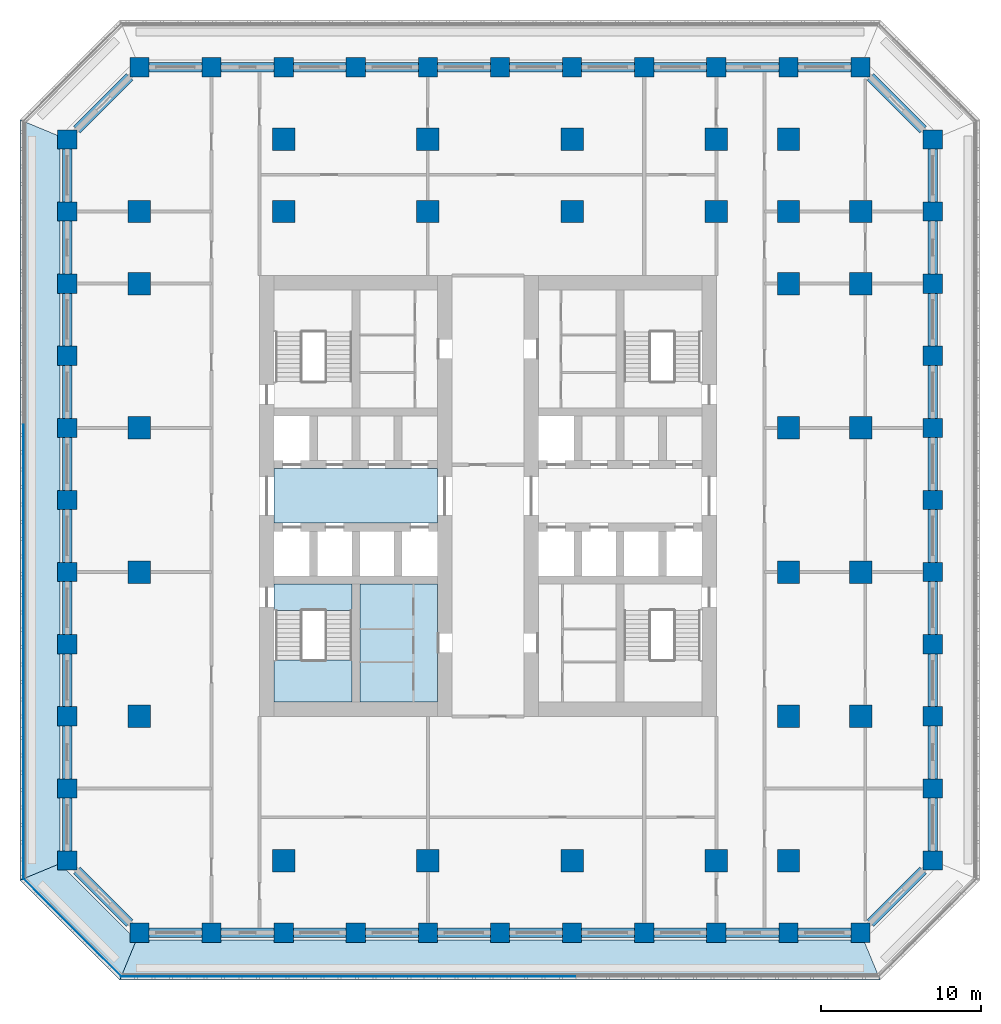
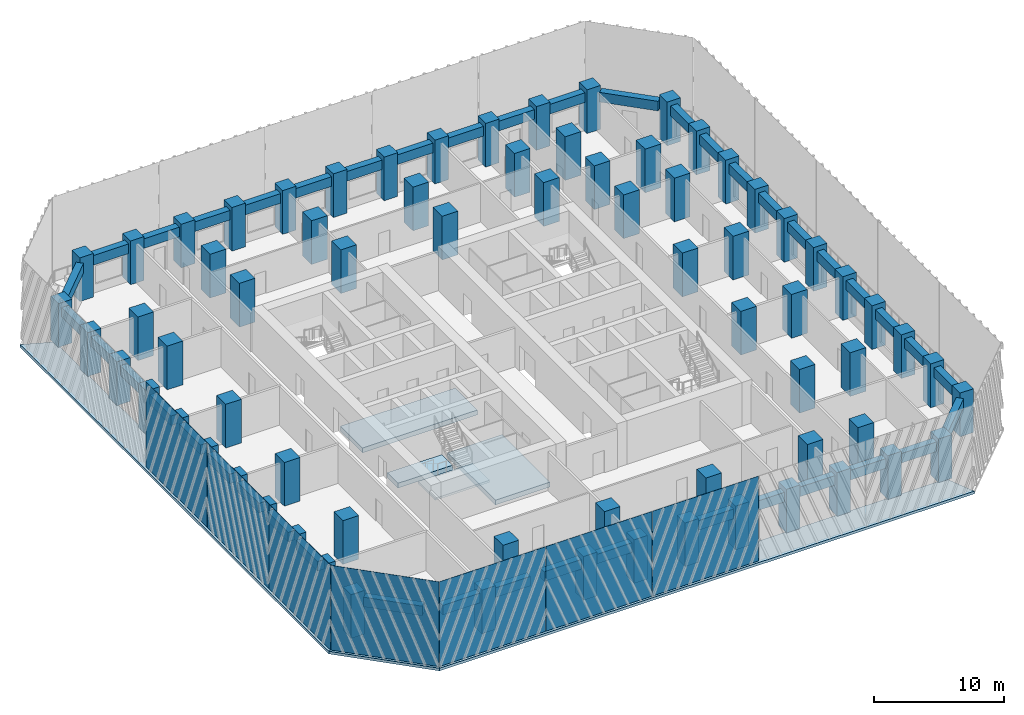
# One storey, part 1 of 19: 73 columns, 44 beams, 7 plates, 7 slabs, 1 element without a shape of its own.
"""IFC4 building model written with IfcOpenShell, lengths in metres."""

from ifc_helpers import new_model, si_unit, direction, frame, origin, origin_2d, place, context, subcontext, project, spatial, polyline, rectangle, outline, extrude, material, layer, layer_set, material_profile, profile_set, type_object, element, aggregate, save


model = new_model("IFC4")

# Units and contexts
model_context = context("Model", 3, precision=1e-05, world=origin(), true_north=direction((0.0, 1.0)))
body_context = subcontext(model_context, "Body", "Model", "MODEL_VIEW")
ifc_project = project(units=[si_unit("LENGTHUNIT", "METRE"), si_unit("AREAUNIT", "SQUARE_METRE"), si_unit("VOLUMEUNIT", "CUBIC_METRE"), si_unit("PLANEANGLEUNIT", "RADIAN"), si_unit("MASSUNIT", "GRAM", prefix="KILO")], contexts=[model_context])

# Site, building, storey
site_placement = place(None, origin())
site = spatial("IfcSite", under=ifc_project, at=site_placement, CompositionType="ELEMENT")
building_placement = place(site_placement, origin())
building = spatial("IfcBuilding", under=site, at=building_placement, Name="Corbel Stack Research Tower", CompositionType="ELEMENT")
storey_placement = place(building_placement, frame((0.0, 0.0, 90.199951171875)))
storey = spatial("IfcBuildingStorey", under=building, at=storey_placement, Name="L20", CompositionType="ELEMENT", Elevation=90.199951171875)

# Columns
ifc_material_1 = material(Name="Concrete C70/85", Category="concrete")
ifc_material_profile_1 = material_profile(ifc_material_1, rectangle(XDim=1.199951171875, YDim=1.199951171875, at=origin_2d()), Name="RC 1200 x 1200")
ifc_profile_set_1 = profile_set([ifc_material_profile_1], Name="Concrete C70/85")
column_type_1 = type_object("IfcColumnType", Name="C-1200-70", PredefinedType="COLUMN", material=ifc_profile_set_1)
for number, where, z_axis, x_axis, name in (
    (1, (-22.5, -18.0, 0.0), (0.0, 0.0, 1.0), (1.0, 0.0, 0.0), "Column 3/D L20"),
    (2, (-22.5, -13.5, 0.0), (0.0, 0.0, 1.0), (1.0, 0.0, 0.0), "Column 3/E L20"),
    (3, (-22.5, -9.0, 0.0), (0.0, 0.0, 1.0), (1.0, 0.0, 0.0), "Column 3/F L20"),
    (4, (-22.5, -4.5, 0.0), (0.0, 0.0, 1.0), (1.0, 0.0, 0.0), "Column 3/G L20"),
    (5, (-22.5, 0.0, 0.0), (0.0, 0.0, 1.0), (1.0, 0.0, 0.0), "Column 3/H L20"),
    (6, (-22.5, 4.5, 0.0), (0.0, 0.0, 1.0), (1.0, 0.0, 0.0), "Column 3/J L20"),
    (7, (-22.5, 9.0, 0.0), (0.0, 0.0, 1.0), (1.0, 0.0, 0.0), "Column 3/K L20"),
    (8, (-22.5, 13.5, 0.0), (0.0, 0.0, 1.0), (1.0, 0.0, 0.0), "Column 3/L L20"),
    (9, (-22.5, 18.0, 0.0), (0.0, 0.0, 1.0), (1.0, 0.0, 0.0), "Column 3/M L20"),
    (10, (-22.5, 22.5, 0.0), (0.0, 0.0, 1.0), (1.0, 0.0, 0.0), "Column 3/N L20"),
    (11, (-22.5, 27.0, 0.0), (0.0, 0.0, 1.0), (1.0, 0.0, 0.0), "Column 3/P L20"),
    (12, (-18.0, -22.5, 0.0), (0.0, 0.0, 1.0), (1.0, 0.0, 0.0), "Column 4/C L20"),
    (13, (-18.0, 31.5, 0.0), (0.0, 0.0, 1.0), (1.0, 0.0, 0.0), "Column 4/Q L20"),
    (14, (-13.5, -22.5, 0.0), (0.0, 0.0, 1.0), (1.0, 0.0, 0.0), "Column 5/C L20"),
    (15, (-13.5, 31.5, 0.0), (0.0, 0.0, 1.0), (1.0, 0.0, 0.0), "Column 5/Q L20"),
    (16, (-9.0, -22.5, 0.0), (0.0, 0.0, 1.0), (1.0, 0.0, 0.0), "Column 6/C L20"),
    (17, (-9.0, 31.5, 0.0), (0.0, 0.0, 1.0), (1.0, 0.0, 0.0), "Column 6/Q L20"),
    (18, (-4.5, -22.5, 0.0), (0.0, 0.0, 1.0), (1.0, 0.0, 0.0), "Column 7/C L20"),
    (19, (-4.5, 31.5, 0.0), (0.0, 0.0, 1.0), (1.0, 0.0, 0.0), "Column 7/Q L20"),
    (20, (0.0, -22.5, 0.0), (0.0, 0.0, 1.0), (1.0, 0.0, 0.0), "Column 8/C L20"),
    (21, (0.0, 31.5, 0.0), (0.0, 0.0, 1.0), (1.0, 0.0, 0.0), "Column 8/Q L20"),
    (22, (4.5, -22.5, 0.0), (0.0, 0.0, 1.0), (1.0, 0.0, 0.0), "Column 9/C L20"),
    (23, (4.5, 31.5, 0.0), (0.0, 0.0, 1.0), (1.0, 0.0, 0.0), "Column 9/Q L20"),
    (24, (9.0, -22.5, 0.0), (0.0, 0.0, 1.0), (1.0, 0.0, 0.0), "Column 10/C L20"),
    (25, (9.0, 31.5, 0.0), (0.0, 0.0, 1.0), (1.0, 0.0, 0.0), "Column 10/Q L20"),
    (26, (13.5, -22.5, 0.0), (0.0, 0.0, 1.0), (1.0, 0.0, 0.0), "Column 11/C L20"),
    (27, (13.5, 31.5, 0.0), (0.0, 0.0, 1.0), (1.0, 0.0, 0.0), "Column 11/Q L20"),
    (28, (18.0, -22.5, 0.0), (0.0, 0.0, 1.0), (1.0, 0.0, 0.0), "Column 12/C L20"),
    (29, (18.0, 31.5, 0.0), (0.0, 0.0, 1.0), (1.0, 0.0, 0.0), "Column 12/Q L20"),
    (30, (22.5, -22.5, 0.0), (0.0, 0.0, 1.0), (1.0, 0.0, 0.0), "Column 13/C L20"),
    (31, (22.5, 31.5, 0.0), (0.0, 0.0, 1.0), (1.0, 0.0, 0.0), "Column 13/Q L20"),
    (32, (27.0, -22.5, 0.0), (0.0, 0.0, 1.0), (1.0, 0.0, 0.0), "Column 14/C L20"),
    (33, (27.0, 31.5, 0.0), (0.0, 0.0, 1.0), (1.0, 0.0, 0.0), "Column 14/Q L20"),
    (34, (31.5, -18.0, 0.0), (0.0, 0.0, 1.0), (1.0, 0.0, 0.0), "Column 15/D L20"),
    (35, (31.5, -13.5, 0.0), (0.0, 0.0, 1.0), (1.0, 0.0, 0.0), "Column 15/E L20"),
    (36, (31.5, -9.0, 0.0), (0.0, 0.0, 1.0), (1.0, 0.0, 0.0), "Column 15/F L20"),
    (37, (31.5, -4.5, 0.0), (0.0, 0.0, 1.0), (1.0, 0.0, 0.0), "Column 15/G L20"),
    (38, (31.5, 0.0, 0.0), (0.0, 0.0, 1.0), (1.0, 0.0, 0.0), "Column 15/H L20"),
    (39, (31.5, 4.5, 0.0), (0.0, 0.0, 1.0), (1.0, 0.0, 0.0), "Column 15/J L20"),
    (40, (31.5, 9.0, 0.0), (0.0, 0.0, 1.0), (1.0, 0.0, 0.0), "Column 15/K L20"),
    (41, (31.5, 13.5, 0.0), (0.0, 0.0, 1.0), (1.0, 0.0, 0.0), "Column 15/L L20"),
    (42, (31.5, 18.0, 0.0), (0.0, 0.0, 1.0), (1.0, 0.0, 0.0), "Column 15/M L20"),
    (43, (31.5, 22.5, 0.0), (0.0, 0.0, 1.0), (1.0, 0.0, 0.0), "Column 15/N L20"),
    (44, (31.5, 27.0, 0.0), (0.0, 0.0, 1.0), (1.0, 0.0, 0.0), "Column 15/P L20"),
):
    element("IfcColumn", number, at=place(storey_placement, frame(where, z_axis=z_axis, x_axis=x_axis)), inside=storey, type_object=column_type_1, Name=name, PredefinedType="COLUMN", context=body_context, shape_type="SweptSolid", body=[
        extrude(rectangle(XDim=1.199951171875, YDim=1.199951171875, at=origin_2d()), origin(), (0.0, 0.0, 1.0), 4.10009765625),
    ])
ifc_material_2 = material(Name="Concrete C70/85", Category="concrete")
ifc_material_profile_2 = material_profile(ifc_material_2, rectangle(XDim=1.39990234375, YDim=1.39990234375, at=origin_2d()), Name="RC 1400 x 1400")
ifc_profile_set_2 = profile_set([ifc_material_profile_2], Name="Concrete C70/85")
column_type_2 = type_object("IfcColumnType", Name="C-1400-70", PredefinedType="COLUMN", material=ifc_profile_set_2)
for number, where, z_axis, x_axis, name in (
    (45, (-18.0, -9.0, 0.0), (0.0, 0.0, 1.0), (1.0, 0.0, 0.0), "Column 4/F L20"),
    (46, (-18.0, 0.0, 0.0), (0.0, 0.0, 1.0), (1.0, 0.0, 0.0), "Column 4/H L20"),
    (47, (-18.0, 9.0, 0.0), (0.0, 0.0, 1.0), (1.0, 0.0, 0.0), "Column 4/K L20"),
    (48, (-18.0, 18.0, 0.0), (0.0, 0.0, 1.0), (1.0, 0.0, 0.0), "Column 4/M L20"),
    (49, (-18.0, 22.5, 0.0), (0.0, 0.0, 1.0), (1.0, 0.0, 0.0), "Column 4/N L20"),
    (50, (-9.0, -18.0, 0.0), (0.0, 0.0, 1.0), (1.0, 0.0, 0.0), "Column 6/D L20"),
    (51, (-9.0, 22.5, 0.0), (0.0, 0.0, 1.0), (1.0, 0.0, 0.0), "Column 6/N L20"),
    (52, (-9.0, 27.0, 0.0), (0.0, 0.0, 1.0), (1.0, 0.0, 0.0), "Column 6/P L20"),
    (53, (0.0, -18.0, 0.0), (0.0, 0.0, 1.0), (1.0, 0.0, 0.0), "Column 8/D L20"),
    (54, (0.0, 22.5, 0.0), (0.0, 0.0, 1.0), (1.0, 0.0, 0.0), "Column 8/N L20"),
    (55, (0.0, 27.0, 0.0), (0.0, 0.0, 1.0), (1.0, 0.0, 0.0), "Column 8/P L20"),
    (56, (9.0, -18.0, 0.0), (0.0, 0.0, 1.0), (1.0, 0.0, 0.0), "Column 10/D L20"),
    (57, (9.0, 22.5, 0.0), (0.0, 0.0, 1.0), (1.0, 0.0, 0.0), "Column 10/N L20"),
    (58, (9.0, 27.0, 0.0), (0.0, 0.0, 1.0), (1.0, 0.0, 0.0), "Column 10/P L20"),
    (59, (18.0, -18.0, 0.0), (0.0, 0.0, 1.0), (1.0, 0.0, 0.0), "Column 12/D L20"),
    (60, (18.0, 22.5, 0.0), (0.0, 0.0, 1.0), (1.0, 0.0, 0.0), "Column 12/N L20"),
    (61, (18.0, 27.0, 0.0), (0.0, 0.0, 1.0), (1.0, 0.0, 0.0), "Column 12/P L20"),
    (62, (22.5, -18.0, 0.0), (0.0, 0.0, 1.0), (1.0, 0.0, 0.0), "Column 13/D L20"),
    (63, (22.5, -9.0, 0.0), (0.0, 0.0, 1.0), (1.0, 0.0, 0.0), "Column 13/F L20"),
    (64, (22.5, 0.0, 0.0), (0.0, 0.0, 1.0), (1.0, 0.0, 0.0), "Column 13/H L20"),
    (65, (22.5, 9.0, 0.0), (0.0, 0.0, 1.0), (1.0, 0.0, 0.0), "Column 13/K L20"),
    (66, (22.5, 18.0, 0.0), (0.0, 0.0, 1.0), (1.0, 0.0, 0.0), "Column 13/M L20"),
    (67, (22.5, 22.5, 0.0), (0.0, 0.0, 1.0), (1.0, 0.0, 0.0), "Column 13/N L20"),
    (68, (22.5, 27.0, 0.0), (0.0, 0.0, 1.0), (1.0, 0.0, 0.0), "Column 13/P L20"),
    (69, (27.0, -9.0, 0.0), (0.0, 0.0, 1.0), (1.0, 0.0, 0.0), "Column 14/F L20"),
    (70, (27.0, 0.0, 0.0), (0.0, 0.0, 1.0), (1.0, 0.0, 0.0), "Column 14/H L20"),
    (71, (27.0, 9.0, 0.0), (0.0, 0.0, 1.0), (1.0, 0.0, 0.0), "Column 14/K L20"),
    (72, (27.0, 18.0, 0.0), (0.0, 0.0, 1.0), (1.0, 0.0, 0.0), "Column 14/M L20"),
    (73, (27.0, 22.5, 0.0), (0.0, 0.0, 1.0), (1.0, 0.0, 0.0), "Column 14/N L20"),
):
    element("IfcColumn", number, at=place(storey_placement, frame(where, z_axis=z_axis, x_axis=x_axis)), inside=storey, type_object=column_type_2, Name=name, PredefinedType="COLUMN", context=body_context, shape_type="SweptSolid", body=[
        extrude(rectangle(XDim=1.39990234375, YDim=1.39990234375, at=origin_2d()), origin(), (0.0, 0.0, 1.0), 4.10009765625),
    ])

# Beams
ifc_material_3 = material(Name="Concrete C60/75", Category="concrete")
ifc_material_profile_3 = material_profile(ifc_material_3, rectangle(XDim=0.60009765625, YDim=0.89990234375, at=origin_2d()), Name="RC 600 x 900")
ifc_profile_set_3 = profile_set([ifc_material_profile_3], Name="Concrete C60/75")
beam_type = type_object("IfcBeamType", Name="SB-600-900-450", PredefinedType="SPANDREL", material=ifc_profile_set_3)
for number, where, z_axis, x_axis, name in (
    (74, (-17.39990234375, -22.5, 3.199951171875), (1.0, 0.0, 0.0), (0.0, 1.0, 0.0), "Spandrel beam L20-01"),
    (75, (-12.89990234375, -22.5, 3.199951171875), (1.0, 0.0, 0.0), (0.0, 1.0, 0.0), "Spandrel beam L20-02"),
    (76, (-8.39990234375, -22.5, 3.199951171875), (1.0, 0.0, 0.0), (0.0, 1.0, 0.0), "Spandrel beam L20-03"),
    (77, (-3.89990234375, -22.5, 3.199951171875), (1.0, 0.0, 0.0), (0.0, 1.0, 0.0), "Spandrel beam L20-04"),
    (78, (0.60009765625, -22.5, 3.199951171875), (1.0, 0.0, 0.0), (0.0, 1.0, 0.0), "Spandrel beam L20-05"),
    (79, (5.10009765625, -22.5, 3.199951171875), (1.0, 0.0, 0.0), (0.0, 1.0, 0.0), "Spandrel beam L20-06"),
    (80, (9.60009765625, -22.5, 3.199951171875), (1.0, 0.0, 0.0), (0.0, 1.0, 0.0), "Spandrel beam L20-07"),
    (81, (14.10009765625, -22.5, 3.199951171875), (1.0, 0.0, 0.0), (0.0, 1.0, 0.0), "Spandrel beam L20-08"),
    (82, (18.60009765625, -22.5, 3.199951171875), (1.0, 0.0, 0.0), (0.0, 1.0, 0.0), "Spandrel beam L20-09"),
    (83, (23.10009765625, -22.5, 3.199951171875), (1.0, 0.0, 0.0), (0.0, 1.0, 0.0), "Spandrel beam L20-10"),
):
    element("IfcBeam", number, at=place(storey_placement, frame(where, z_axis=z_axis, x_axis=x_axis)), inside=storey, type_object=beam_type, Name=name, PredefinedType="SPANDREL", context=body_context, shape_type="SweptSolid", body=[
        extrude(rectangle(XDim=0.60009765625, YDim=0.89990234375, at=origin_2d()), origin(), (0.0, 0.0, 1.0), 3.2998046875),
    ])
beam_1_placement = place(storey_placement, frame((27.60009765625, -21.89990234375, 3.199951171875), z_axis=(0.707106781187, 0.707106781187, 0.0), x_axis=(-0.707106781187, 0.707106781187, 0.0)))
element("IfcBeam", 84, at=beam_1_placement, inside=storey, type_object=beam_type, Name="Spandrel beam L20-11", PredefinedType="SPANDREL", context=body_context, shape_type="SweptSolid", body=[
    extrude(rectangle(XDim=0.60009765625, YDim=0.89990234375, at=origin_2d()), origin(), (0.0, 0.0, 1.0), 4.666748046875),
])
for number, where, z_axis, x_axis, name in (
    (85, (31.5, -17.39990234375, 3.199951171875), (0.0, 1.0, 0.0), (-1.0, 0.0, 0.0), "Spandrel beam L20-12"),
    (86, (31.5, -12.89990234375, 3.199951171875), (0.0, 1.0, 0.0), (-1.0, 0.0, 0.0), "Spandrel beam L20-13"),
    (87, (31.5, -8.39990234375, 3.199951171875), (0.0, 1.0, 0.0), (-1.0, 0.0, 0.0), "Spandrel beam L20-14"),
    (88, (31.5, -3.89990234375, 3.199951171875), (0.0, 1.0, 0.0), (-1.0, 0.0, 0.0), "Spandrel beam L20-15"),
    (89, (31.5, 0.60009765625, 3.199951171875), (0.0, 1.0, 0.0), (-1.0, 0.0, 0.0), "Spandrel beam L20-16"),
    (90, (31.5, 5.10009765625, 3.199951171875), (0.0, 1.0, 0.0), (-1.0, 0.0, 0.0), "Spandrel beam L20-17"),
    (91, (31.5, 9.60009765625, 3.199951171875), (0.0, 1.0, 0.0), (-1.0, 0.0, 0.0), "Spandrel beam L20-18"),
    (92, (31.5, 14.10009765625, 3.199951171875), (0.0, 1.0, 0.0), (-1.0, 0.0, 0.0), "Spandrel beam L20-19"),
    (93, (31.5, 18.60009765625, 3.199951171875), (0.0, 1.0, 0.0), (-1.0, 0.0, 0.0), "Spandrel beam L20-20"),
    (94, (31.5, 23.10009765625, 3.199951171875), (0.0, 1.0, 0.0), (-1.0, 0.0, 0.0), "Spandrel beam L20-21"),
):
    element("IfcBeam", number, at=place(storey_placement, frame(where, z_axis=z_axis, x_axis=x_axis)), inside=storey, type_object=beam_type, Name=name, PredefinedType="SPANDREL", context=body_context, shape_type="SweptSolid", body=[
        extrude(rectangle(XDim=0.60009765625, YDim=0.89990234375, at=origin_2d()), origin(), (0.0, 0.0, 1.0), 3.2998046875),
    ])
beam_2_placement = place(storey_placement, frame((30.89990234375, 27.60009765625, 3.199951171875), z_axis=(-0.707106781187, 0.707106781187, 0.0), x_axis=(-0.707106781187, -0.707106781187, 0.0)))
element("IfcBeam", 95, at=beam_2_placement, inside=storey, type_object=beam_type, Name="Spandrel beam L20-22", PredefinedType="SPANDREL", context=body_context, shape_type="SweptSolid", body=[
    extrude(rectangle(XDim=0.60009765625, YDim=0.89990234375, at=origin_2d()), origin(), (0.0, 0.0, 1.0), 4.666748046875),
])
for number, where, z_axis, x_axis, name in (
    (96, (26.39990234375, 31.5, 3.199951171875), (-1.0, 0.0, 0.0), (0.0, -1.0, 0.0), "Spandrel beam L20-23"),
    (97, (21.89990234375, 31.5, 3.199951171875), (-1.0, 0.0, 0.0), (0.0, -1.0, 0.0), "Spandrel beam L20-24"),
    (98, (17.39990234375, 31.5, 3.199951171875), (-1.0, 0.0, 0.0), (0.0, -1.0, 0.0), "Spandrel beam L20-25"),
    (99, (12.89990234375, 31.5, 3.199951171875), (-1.0, 0.0, 0.0), (0.0, -1.0, 0.0), "Spandrel beam L20-26"),
    (100, (8.39990234375, 31.5, 3.199951171875), (-1.0, 0.0, 0.0), (0.0, -1.0, 0.0), "Spandrel beam L20-27"),
    (101, (3.89990234375, 31.5, 3.199951171875), (-1.0, 0.0, 0.0), (0.0, -1.0, 0.0), "Spandrel beam L20-28"),
    (102, (-0.60009765625, 31.5, 3.199951171875), (-1.0, 0.0, 0.0), (0.0, -1.0, 0.0), "Spandrel beam L20-29"),
    (103, (-5.10009765625, 31.5, 3.199951171875), (-1.0, 0.0, 0.0), (0.0, -1.0, 0.0), "Spandrel beam L20-30"),
    (104, (-9.60009765625, 31.5, 3.199951171875), (-1.0, 0.0, 0.0), (0.0, -1.0, 0.0), "Spandrel beam L20-31"),
    (105, (-14.10009765625, 31.5, 3.199951171875), (-1.0, 0.0, 0.0), (0.0, -1.0, 0.0), "Spandrel beam L20-32"),
):
    element("IfcBeam", number, at=place(storey_placement, frame(where, z_axis=z_axis, x_axis=x_axis)), inside=storey, type_object=beam_type, Name=name, PredefinedType="SPANDREL", context=body_context, shape_type="SweptSolid", body=[
        extrude(rectangle(XDim=0.60009765625, YDim=0.89990234375, at=origin_2d()), origin(), (0.0, 0.0, 1.0), 3.2998046875),
    ])
beam_3_placement = place(storey_placement, frame((-18.60009765625, 30.89990234375, 3.199951171875), z_axis=(-0.707106781187, -0.707106781187, 0.0), x_axis=(0.707106781187, -0.707106781187, 0.0)))
element("IfcBeam", 106, at=beam_3_placement, inside=storey, type_object=beam_type, Name="Spandrel beam L20-33", PredefinedType="SPANDREL", context=body_context, shape_type="SweptSolid", body=[
    extrude(rectangle(XDim=0.60009765625, YDim=0.89990234375, at=origin_2d()), origin(), (0.0, 0.0, 1.0), 4.666748046875),
])
for number, where, z_axis, x_axis, name in (
    (107, (-22.5, 26.39990234375, 3.199951171875), (0.0, -1.0, 0.0), (1.0, 0.0, 0.0), "Spandrel beam L20-34"),
    (108, (-22.5, 21.89990234375, 3.199951171875), (0.0, -1.0, 0.0), (1.0, 0.0, 0.0), "Spandrel beam L20-35"),
    (109, (-22.5, 17.39990234375, 3.199951171875), (0.0, -1.0, 0.0), (1.0, 0.0, 0.0), "Spandrel beam L20-36"),
    (110, (-22.5, 12.89990234375, 3.199951171875), (0.0, -1.0, 0.0), (1.0, 0.0, 0.0), "Spandrel beam L20-37"),
    (111, (-22.5, 8.39990234375, 3.199951171875), (0.0, -1.0, 0.0), (1.0, 0.0, 0.0), "Spandrel beam L20-38"),
    (112, (-22.5, 3.89990234375, 3.199951171875), (0.0, -1.0, 0.0), (1.0, 0.0, 0.0), "Spandrel beam L20-39"),
    (113, (-22.5, -0.60009765625, 3.199951171875), (0.0, -1.0, 0.0), (1.0, 0.0, 0.0), "Spandrel beam L20-40"),
    (114, (-22.5, -5.10009765625, 3.199951171875), (0.0, -1.0, 0.0), (1.0, 0.0, 0.0), "Spandrel beam L20-41"),
    (115, (-22.5, -9.60009765625, 3.199951171875), (0.0, -1.0, 0.0), (1.0, 0.0, 0.0), "Spandrel beam L20-42"),
    (116, (-22.5, -14.10009765625, 3.199951171875), (0.0, -1.0, 0.0), (1.0, 0.0, 0.0), "Spandrel beam L20-43"),
):
    element("IfcBeam", number, at=place(storey_placement, frame(where, z_axis=z_axis, x_axis=x_axis)), inside=storey, type_object=beam_type, Name=name, PredefinedType="SPANDREL", context=body_context, shape_type="SweptSolid", body=[
        extrude(rectangle(XDim=0.60009765625, YDim=0.89990234375, at=origin_2d()), origin(), (0.0, 0.0, 1.0), 3.2998046875),
    ])
beam_4_placement = place(storey_placement, frame((-21.89990234375, -18.60009765625, 3.199951171875), z_axis=(0.707106781187, -0.707106781187, 0.0), x_axis=(0.707106781187, 0.707106781187, 0.0)))
element("IfcBeam", 117, at=beam_4_placement, inside=storey, type_object=beam_type, Name="Spandrel beam L20-44", PredefinedType="SPANDREL", context=body_context, shape_type="SweptSolid", body=[
    extrude(rectangle(XDim=0.60009765625, YDim=0.89990234375, at=origin_2d()), origin(), (0.0, 0.0, 1.0), 4.666748046875),
])

# Plates
ifc_material_4 = material(Name="Fritted glass", Category="glass")
ifc_layer_1 = layer(ifc_material_4, 0.02490234375)
ifc_layer_set_1 = layer_set([ifc_layer_1], Name="Fritted glass")
plate_type = type_object("IfcPlateType", Name="Fritted glass panel 25", PredefinedType="SHEET", material=ifc_layer_set_1)
for number, where, z_axis, x_axis, name in (
    (118, (-14.411376953125, -25.237548828125, 0.0), (0.0, 0.0, 1.0), (1.0, 0.0, 0.0), "Fritted glass L20 S1"),
    (119, (-4.95556640625, -25.237548828125, 0.0), (0.0, 0.0, 1.0), (1.0, 0.0, 0.0), "Fritted glass L20 S2"),
    (120, (4.5, -25.237548828125, 0.0), (0.0, 0.0, 1.0), (1.0, 0.0, 0.0), "Fritted glass L20 S3"),
    (121, (-25.237548828125, 4.5, 0.0), (0.0, 0.0, 1.0), (0.0, -1.0, 0.0), "Fritted glass L20 W3"),
    (122, (-25.237548828125, -4.95556640625, 0.0), (0.0, 0.0, 1.0), (0.0, -1.0, 0.0), "Fritted glass L20 W4"),
    (123, (-25.237548828125, -14.411376953125, 0.0), (0.0, 0.0, 1.0), (0.0, -1.0, 0.0), "Fritted glass L20 W5"),
):
    element("IfcPlate", number, at=place(storey_placement, frame(where, z_axis=z_axis, x_axis=x_axis)), inside=storey, type_object=plate_type, Name=name, PredefinedType="SHEET", context=body_context, shape_type="SweptSolid", body=[
        extrude(rectangle(XDim=9.3955078125, YDim=0.02490234375, at=origin_2d()), origin(), (0.0, 0.0, 1.0), 7.949951171875),
    ])
plate_placement = place(storey_placement, frame((-22.185791015625, -22.185791015625, 0.0), z_axis=(0.0, 0.0, 1.0), x_axis=(0.707106781187, -0.707106781187, 0.0)))
element("IfcPlate", 124, at=plate_placement, inside=storey, type_object=plate_type, Name="Fritted glass L20 SW1", PredefinedType="SHEET", context=body_context, shape_type="SweptSolid", body=[
    extrude(rectangle(XDim=8.58203125, YDim=0.02490234375, at=origin_2d()), origin(), (0.0, 0.0, 1.0), 7.949951171875),
])

# Slabs
ifc_material_5 = material(Name="Concrete C45/55", Category="concrete")
ifc_layer_2 = layer(ifc_material_5, 0.25)
ifc_layer_set_2 = layer_set([ifc_layer_2], Name="Concrete C45/55")
slab_type_1 = type_object("IfcSlabType", Name="PT balcony slab 250 C45/55", PredefinedType="FLOOR", material=ifc_layer_set_2)
slab_1_placement = place(storey_placement, frame((0.0, 0.0, -0.25)))
element("IfcSlab", 125, at=slab_1_placement, inside=storey, type_object=slab_type_1, Name="Loggia slab L20 S", PredefinedType="FLOOR", context=body_context, shape_type="SweptSolid", body=[
    extrude(outline(polyline([(27.24853515625, -23.10009765625), (26.39990234375, -23.10009765625), (26.39990234375, -22.949951171875), (23.10009765625, -22.949951171875), (23.10009765625, -23.10009765625), (21.89990234375, -23.10009765625), (21.89990234375, -22.949951171875), (18.60009765625, -22.949951171875), (18.60009765625, -23.10009765625), (17.39990234375, -23.10009765625), (17.39990234375, -22.949951171875), (14.10009765625, -22.949951171875), (14.10009765625, -23.10009765625), (12.89990234375, -23.10009765625), (12.89990234375, -22.949951171875), (9.60009765625, -22.949951171875), (9.60009765625, -23.10009765625), (8.39990234375, -23.10009765625), (8.39990234375, -22.949951171875), (5.10009765625, -22.949951171875), (5.10009765625, -23.10009765625), (3.89990234375, -23.10009765625), (3.89990234375, -22.949951171875), (0.60009765625, -22.949951171875), (0.60009765625, -23.10009765625), (-0.60009765625, -23.10009765625), (-0.60009765625, -22.949951171875), (-3.89990234375, -22.949951171875), (-3.89990234375, -23.10009765625), (-5.10009765625, -23.10009765625), (-5.10009765625, -22.949951171875), (-8.39990234375, -22.949951171875), (-8.39990234375, -23.10009765625), (-9.60009765625, -23.10009765625), (-9.60009765625, -22.949951171875), (-12.89990234375, -22.949951171875), (-12.89990234375, -23.10009765625), (-14.10009765625, -23.10009765625), (-14.10009765625, -22.949951171875), (-17.39990234375, -22.949951171875), (-17.39990234375, -23.10009765625), (-18.24853515625, -23.10009765625), (-19.221923828125, -25.449951171875), (28.221923828125, -25.449951171875), (27.24853515625, -23.10009765625)])), origin(), (0.0, 0.0, 1.0), 0.25),
])
slab_2_placement = place(storey_placement, frame((0.0, 0.0, -0.25)))
element("IfcSlab", 126, at=slab_2_placement, inside=storey, type_object=slab_type_1, Name="Loggia slab L20 W", PredefinedType="FLOOR", context=body_context, shape_type="SweptSolid", body=[
    extrude(outline(polyline([(-23.10009765625, -18.24853515625), (-23.10009765625, -17.39990234375), (-22.949951171875, -17.39990234375), (-22.949951171875, -14.10009765625), (-23.10009765625, -14.10009765625), (-23.10009765625, -12.89990234375), (-22.949951171875, -12.89990234375), (-22.949951171875, -9.60009765625), (-23.10009765625, -9.60009765625), (-23.10009765625, -8.39990234375), (-22.949951171875, -8.39990234375), (-22.949951171875, -5.10009765625), (-23.10009765625, -5.10009765625), (-23.10009765625, -3.89990234375), (-22.949951171875, -3.89990234375), (-22.949951171875, -0.60009765625), (-23.10009765625, -0.60009765625), (-23.10009765625, 0.60009765625), (-22.949951171875, 0.60009765625), (-22.949951171875, 3.89990234375), (-23.10009765625, 3.89990234375), (-23.10009765625, 5.10009765625), (-22.949951171875, 5.10009765625), (-22.949951171875, 8.39990234375), (-23.10009765625, 8.39990234375), (-23.10009765625, 9.60009765625), (-22.949951171875, 9.60009765625), (-22.949951171875, 12.89990234375), (-23.10009765625, 12.89990234375), (-23.10009765625, 14.10009765625), (-22.949951171875, 14.10009765625), (-22.949951171875, 17.39990234375), (-23.10009765625, 17.39990234375), (-23.10009765625, 18.60009765625), (-22.949951171875, 18.60009765625), (-22.949951171875, 21.89990234375), (-23.10009765625, 21.89990234375), (-23.10009765625, 23.10009765625), (-22.949951171875, 23.10009765625), (-22.949951171875, 26.39990234375), (-23.10009765625, 26.39990234375), (-23.10009765625, 27.24853515625), (-25.449951171875, 28.221923828125), (-25.449951171875, -19.221923828125), (-23.10009765625, -18.24853515625)])), origin(), (0.0, 0.0, 1.0), 0.25),
])
slab_3_placement = place(storey_placement, frame((0.0, 0.0, -0.25)))
element("IfcSlab", 127, at=slab_3_placement, inside=storey, type_object=slab_type_1, Name="Loggia slab L20 SW", PredefinedType="FLOOR", context=body_context, shape_type="SweptSolid", body=[
    extrude(outline(polyline([(-18.24853515625, -23.10009765625), (-18.60009765625, -23.10009765625), (-18.60009765625, -22.536376953125), (-22.536376953125, -18.60009765625), (-23.10009765625, -18.60009765625), (-23.10009765625, -18.24853515625), (-25.449951171875, -19.221923828125), (-19.221923828125, -25.449951171875), (-18.24853515625, -23.10009765625)])), origin(), (0.0, 0.0, 1.0), 0.25),
])
ifc_material_6 = material(Name="Concrete C45/55", Category="concrete")
ifc_layer_3 = layer(ifc_material_6, 0.449951171875)
ifc_layer_set_3 = layer_set([ifc_layer_3], Name="Concrete C45/55")
slab_type_2 = type_object("IfcSlabType", Name="PT-450", PredefinedType="FLOOR", material=ifc_layer_set_3)
slab_4_placement = place(storey_placement, frame((0.0, 0.0, -0.449951171875)))
element("IfcSlab", 128, at=slab_4_placement, inside=storey, type_object=slab_type_2, Name="West core floor L20", PredefinedType="FLOOR", context=body_context, shape_type="SweptSolid", body=[
    extrude(outline(polyline([(0.60009765625, 6.449951171875), (-9.60009765625, 6.449951171875), (-9.60009765625, 3.050048828125), (0.60009765625, 3.050048828125), (0.60009765625, 6.449951171875)])), origin(), (0.0, 0.0, 1.0), 0.449951171875),
])
slab_5_placement = place(storey_placement, frame((0.0, 0.0, -0.449951171875)))
element("IfcSlab", 129, at=slab_5_placement, inside=storey, type_object=slab_type_2, Name="West core floor L20", PredefinedType="FLOOR", context=body_context, shape_type="SweptSolid", body=[
    extrude(outline(polyline([(0.60009765625, -8.10009765625), (0.60009765625, -0.75), (-4.25, -0.75), (-4.25, -8.10009765625), (0.60009765625, -8.10009765625)])), origin(), (0.0, 0.0, 1.0), 0.449951171875),
])
slab_6_placement = place(storey_placement, frame((0.0, 0.0, -0.449951171875)))
element("IfcSlab", 130, at=slab_6_placement, inside=storey, type_object=slab_type_2, Name="Stair floor landing ST-W1", PredefinedType="FLOOR", context=body_context, shape_type="SweptSolid", body=[
    extrude(outline(polyline([(-9.60009765625, -2.39990234375), (-4.75, -2.39990234375), (-4.75, -0.75), (-9.60009765625, -0.75), (-9.60009765625, -2.39990234375)])), origin(), (0.0, 0.0, 1.0), 0.449951171875),
])

# Stair, slab
ifc_material_7 = material(Name="Concrete C40/50", Category="concrete")
stair_type = type_object("IfcStairType", Name="Exit stair 24 risers", PredefinedType="HALF_TURN_STAIR", material=ifc_material_7)
stair_placement = place(storey_placement, origin())
stair = element("IfcStair", 131, at=stair_placement, inside=storey, type_object=stair_type, Name="L20 Exit stair ST-W1", PredefinedType="HALF_TURN_STAIR")
ifc_material_8 = material(Name="Concrete C40/50", Category="concrete")
ifc_layer_4 = layer(ifc_material_8, 0.199951171875)
ifc_layer_set_4 = layer_set([ifc_layer_4], Name="Concrete C40/50")
slab_type_3 = type_object("IfcSlabType", Name="Stair landing 200 C40/50", PredefinedType="LANDING", material=ifc_layer_set_4)
slab_7_placement = place(storey_placement, frame((0.0, 0.0, 1.85009765625)))
slab_7 = element("IfcSlab", 132, at=slab_7_placement, type_object=slab_type_3, Name="ST-W1 landing 1", PredefinedType="LANDING", context=body_context, shape_type="SweptSolid", body=[
    extrude(outline(polyline([(-9.60009765625, -8.10009765625), (-9.60009765625, -5.47998046875), (-4.75, -5.47998046875), (-4.75, -8.10009765625), (-9.60009765625, -8.10009765625)])), origin(), (0.0, 0.0, 1.0), 0.199951171875),
])
aggregate(stair, [slab_7])

save(model, "model.ifc")
